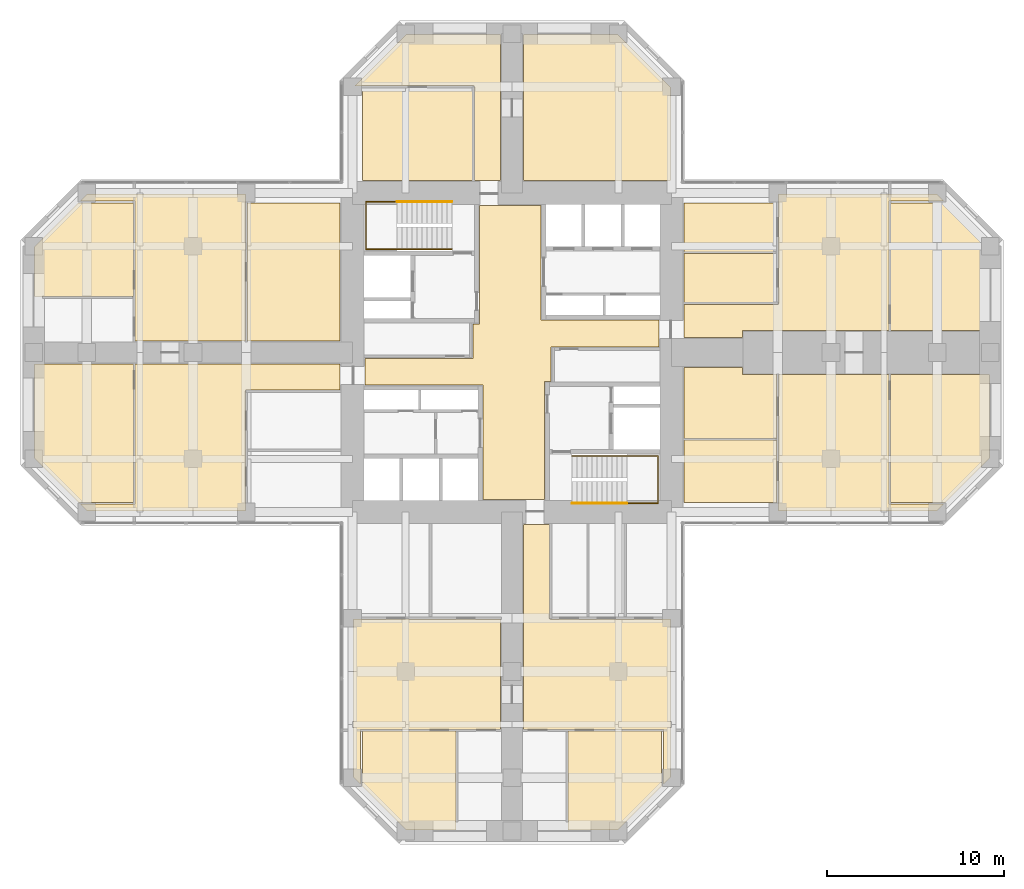
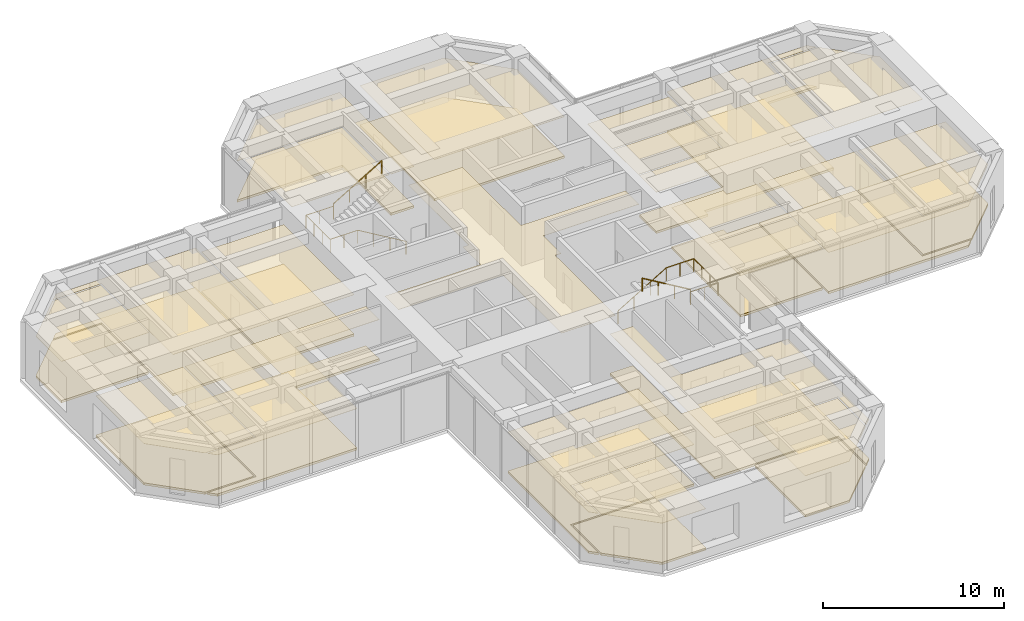
# One storey, part 13 of 13: 37 coverings, 4 railings.
"""IFC4 building model written with IfcOpenShell, lengths in metres."""

import ifcopenshell
import ifcopenshell.guid

model = None  # the IFC model being written
_history = None  # IfcOwnerHistory: only IFC2X3 demands one
_inside = {}  # id of a spatial element -> (the spatial element, [elements in it])
_under = {}  # id of a project, library or spatial element -> (it, [spatial elements below it])
_declared = {}  # id of a project -> (the project, [libraries it declares])
_typed = {}  # id of a type object -> (the type object, [elements of that type])
_made_of = {}  # id of a material, layer set ... -> (it, [elements and type objects made of it])


def new_model(schema):
    """Start an empty IFC model of exactly this schema.

    Asked for "IFC4X3", IfcOpenShell would pick the latest addendum, in which some entities
    have other attributes; the version numbers below select the first issue.
    IFC2X3 requires an IfcOwnerHistory on every rooted entity: one is made here for all.
    """
    global model, _history
    if schema == "IFC4X3":
        model = ifcopenshell.file(schema_version=(4, 3, 0, 0))
    else:
        model = ifcopenshell.file(schema=schema)
    _inside.clear()
    _under.clear()
    _declared.clear()
    _typed.clear()
    _made_of.clear()
    _history = None
    if model.schema == "IFC2X3":
        org = make("IfcOrganization", Name="unknown")
        user = make(
            "IfcPersonAndOrganization",
            ThePerson=make("IfcPerson", FamilyName="unknown"),
            TheOrganization=org,
        )
        app = make(
            "IfcApplication",
            ApplicationDeveloper=org,
            Version="unknown",
            ApplicationFullName="unknown",
            ApplicationIdentifier="unknown",
        )
        _history = make(
            "IfcOwnerHistory",
            OwningUser=user,
            OwningApplication=app,
            ChangeAction="ADDED",
            CreationDate=0,
        )
    return model


def make(cls, **values):
    """One entity of the class cls with the attributes given. An attribute that is None is left unset."""
    return model.create_entity(
        cls, **{name: value for name, value in values.items() if value is not None}
    )


def rooted(cls, **values):
    """An entity with a GlobalId (a new one), such as an element, a storey or a relation."""
    return make(cls, GlobalId=ifcopenshell.guid.new(), OwnerHistory=_history, **values)


def si_unit(unit_type, name, prefix=None):
    """IfcSIUnit, for example si_unit("LENGTHUNIT", "METRE", prefix="MILLI")."""
    return make("IfcSIUnit", UnitType=unit_type, Prefix=prefix, Name=name)


def assignment(units):
    """IfcUnitAssignment: the units of a project."""
    return None if units is None else make("IfcUnitAssignment", Units=units)


def point(xyz):
    """IfcCartesianPoint."""
    return None if xyz is None else make("IfcCartesianPoint", Coordinates=xyz)


def direction(xyz):
    """IfcDirection."""
    return None if xyz is None else make("IfcDirection", DirectionRatios=xyz)


def frame(location, z_axis=None, x_axis=None):
    """IfcAxis2Placement3D, a coordinate frame: its origin and axes. An axis left out is left unset."""
    return make(
        "IfcAxis2Placement3D",
        Location=point(location),
        Axis=direction(z_axis),
        RefDirection=direction(x_axis),
    )


def frame_2d(location, x_axis=None):
    """IfcAxis2Placement2D, a coordinate frame in the plane: its origin and x axis."""
    return make(
        "IfcAxis2Placement2D", Location=point(location), RefDirection=direction(x_axis)
    )


def origin():
    """The frame at (0, 0, 0) with its axes left unset."""
    return frame((0.0, 0.0, 0.0))


def origin_2d():
    """The frame at (0, 0) in the plane with its x axis left unset."""
    return frame_2d((0.0, 0.0))


def place(relative_to, where):
    """IfcLocalPlacement: puts the frame where relative to a parent placement (None: the world)."""
    return make(
        "IfcLocalPlacement", PlacementRelTo=relative_to, RelativePlacement=where
    )


def context(
    kind, dimensions, precision=None, world=None, true_north=None, identifier=None
):
    """IfcGeometricRepresentationContext, for example the 3D "Model" context."""
    return make(
        "IfcGeometricRepresentationContext",
        ContextIdentifier=identifier,
        ContextType=kind,
        CoordinateSpaceDimension=dimensions,
        Precision=precision,
        WorldCoordinateSystem=world,
        TrueNorth=true_north,
    )


def subcontext(parent, identifier, kind, view, scale=None):
    """IfcGeometricRepresentationSubContext, for example "Body" below "Model"."""
    return make(
        "IfcGeometricRepresentationSubContext",
        ContextIdentifier=identifier,
        ContextType=kind,
        ParentContext=parent,
        TargetScale=scale,
        TargetView=view,
    )


def project(units=None, contexts=None):
    """IfcProject with its units and contexts."""
    return rooted(
        "IfcProject",
        Name="project",
        RepresentationContexts=contexts,
        UnitsInContext=assignment(units),
    )


def spatial(cls, under=None, at=None, **own):
    """A site, building, storey or space (cls), placed at a placement, below another one or the project."""
    s = rooted(cls, ObjectPlacement=at, **own)
    if under is not None:
        _under.setdefault(under.id(), (under, []))[1].append(s)
    return s


def polyline(points):
    """IfcPolyline through the points."""
    return make("IfcPolyline", Points=[point(p) for p in points])


def profile(cls, at=None, kind="AREA", **sizes):
    """A parametric profile (cls). Its sizes go by their IFC names, for example OverallWidth=200.0."""
    return make(cls, ProfileType=kind, Position=at, **sizes)


def circle(**sizes):
    """IfcCircleProfileDef."""
    return profile("IfcCircleProfileDef", **sizes)


def outline(outer, holes=None, kind="AREA"):
    """IfcArbitraryClosedProfileDef: a profile drawn as a closed curve; with holes, ...WithVoids."""
    if holes is None:
        return make("IfcArbitraryClosedProfileDef", ProfileType=kind, OuterCurve=outer)
    return make(
        "IfcArbitraryProfileDefWithVoids",
        ProfileType=kind,
        OuterCurve=outer,
        InnerCurves=holes,
    )


def extrude(swept, where, along, depth):
    """IfcExtrudedAreaSolid: the profile swept, set in the frame where, extruded along a direction by depth."""
    return make(
        "IfcExtrudedAreaSolid",
        SweptArea=swept,
        Position=where,
        ExtrudedDirection=direction(along),
        Depth=depth,
    )


def shape(context_of_items, identifier, shape_type, items):
    """IfcShapeRepresentation: the items that make up one representation, for example the "Body"."""
    return make(
        "IfcShapeRepresentation",
        ContextOfItems=context_of_items,
        RepresentationIdentifier=identifier,
        RepresentationType=shape_type,
        Items=items,
    )


def material(Name=None, Category=None):
    """IfcMaterial."""
    return make("IfcMaterial", Name=Name, Category=Category)


def layer(
    of_material, thickness, ventilated=None, Name=None, Category=None, Priority=None
):
    """IfcMaterialLayer: one layer of a wall or slab, of a material (None: an air gap)."""
    return make(
        "IfcMaterialLayer",
        Material=of_material,
        LayerThickness=thickness,
        IsVentilated=ventilated,
        Name=Name,
        Category=Category,
        Priority=Priority,
    )


def layer_set(layers, Name=None):
    """IfcMaterialLayerSet."""
    return make("IfcMaterialLayerSet", MaterialLayers=layers, LayerSetName=Name)


def constituent(of_material, Name=None, Category=None, fraction=None):
    """IfcMaterialConstituent: one of the materials an element consists of."""
    return make(
        "IfcMaterialConstituent",
        Name=Name,
        Material=of_material,
        Fraction=fraction,
        Category=Category,
    )


def constituent_set(constituents=None, Name=None):
    """IfcMaterialConstituentSet."""
    return make(
        "IfcMaterialConstituentSet", Name=Name, MaterialConstituents=constituents
    )


def made_of(thing, what):
    """Note that an element or type object is made of a material, layer set ...; save() writes the relation."""
    if what is not None:
        _made_of.setdefault(what.id(), (what, []))[1].append(thing)
    return thing


def type_object(cls, material=None, **own):
    """A type object (cls), such as IfcWallType, which elements share."""
    return made_of(rooted(cls, **own), material)


def element(
    cls,
    number,
    at=None,
    inside=None,
    cuts=None,
    type_object=None,
    material=None,
    context=None,
    identifier="Body",
    shape_type=None,
    held_by="IfcProductDefinitionShape",
    body=None,
    shapes=None,
    **own,
):
    """One element of the class cls, such as IfcWall. Its Tag is "e" and its number.

    at: its placement. inside: the storey or other place that contains it. cuts: it is an
    opening in that element (IfcRelVoidsElement). A single representation is given by context,
    identifier, shape_type and body (its items); several are given by shapes. held_by: the class
    of the entity that holds the representations. save() writes the other relations.
    """
    e = rooted(cls, Tag="e%d" % number, ObjectPlacement=at, **own)
    if body is not None:
        shapes = [shape(context, identifier, shape_type, body)]
    if shapes is not None:
        e.Representation = make(held_by, Representations=shapes)
    if inside is not None:
        _inside.setdefault(inside.id(), (inside, []))[1].append(e)
    if cuts is not None:
        rooted(
            "IfcRelVoidsElement", RelatingBuildingElement=cuts, RelatedOpeningElement=e
        )
    if type_object is not None:
        _typed.setdefault(type_object.id(), (type_object, []))[1].append(e)
    return made_of(e, material)


def aggregate(whole, parts):
    """IfcRelAggregates: a whole, such as a stair, and the parts it consists of."""
    return rooted("IfcRelAggregates", RelatingObject=whole, RelatedObjects=parts)


def save(model, path):
    """Write the relations noted so far, then the file.

    IfcRelAggregates (storeys below a building ...), IfcRelContainedInSpatialStructure (elements
    in a storey), IfcRelDefinesByType, IfcRelAssociatesMaterial and IfcRelDeclares: one each for
    every whole, place, type object, material and project.
    """
    for whole, parts in _under.values():
        aggregate(whole, parts)
    for where, things in _inside.values():
        rooted(
            "IfcRelContainedInSpatialStructure",
            RelatedElements=things,
            RelatingStructure=where,
        )
    for kind, things in _typed.values():
        rooted("IfcRelDefinesByType", RelatedObjects=things, RelatingType=kind)
    for what, things in _made_of.values():
        rooted("IfcRelAssociatesMaterial", RelatedObjects=things, RelatingMaterial=what)
    for by, libraries in _declared.values():
        rooted("IfcRelDeclares", RelatingContext=by, RelatedDefinitions=libraries)
    model.write(path)


model = new_model("IFC4")

# Units and contexts
model_context = context("Model", 3, precision=1e-05, world=origin(), true_north=direction((0.0, 1.0)))
body_context = subcontext(model_context, "Body", "Model", "MODEL_VIEW")
ifc_project = project(units=[si_unit("LENGTHUNIT", "METRE"), si_unit("AREAUNIT", "SQUARE_METRE"), si_unit("VOLUMEUNIT", "CUBIC_METRE"), si_unit("PLANEANGLEUNIT", "RADIAN"), si_unit("MASSUNIT", "GRAM", prefix="KILO")], contexts=[model_context])

# Site, building, storey
site_placement = place(None, origin())
site = spatial("IfcSite", under=ifc_project, at=site_placement, CompositionType="ELEMENT")
building_placement = place(site_placement, origin())
building = spatial("IfcBuilding", under=site, at=building_placement, Name="Torre Cruceta", CompositionType="ELEMENT")
storey_placement = place(building_placement, frame((0.0, 0.0, 152.5)))
storey = spatial("IfcBuildingStorey", under=building, at=storey_placement, Name="L37", CompositionType="ELEMENT", Elevation=152.5)

# Railings
ifc_material_1 = material(Name="Stainless steel 1.4401", Category="steel")
railing_type = type_object("IfcRailingType", Name="HANDRAIL 900", PredefinedType="HANDRAIL", material=ifc_material_1)
railing_1_placement = place(storey_placement, frame((-3.39990234375, 5.8349609375, 0.166748046875)))
element("IfcRailing", 1, at=railing_1_placement, inside=storey, type_object=railing_type, Name="Handrail HR1 ST1 L37", PredefinedType="HANDRAIL", context=body_context, shape_type="SweptSolid", body=[
    extrude(circle(Radius=0.02392578125, at=origin_2d()), frame((0.0, 0.0, 0.8759765625), z_axis=(-0.859308565015, 0.0, 0.511457515432), x_axis=(0.0, -1.0, 0.0)), (0.0, 0.0, 1.0), 3.58447265625),
    extrude(circle(Radius=0.02392578125, at=origin_2d()), frame((-3.080078125, 0.0, 2.708984375), z_axis=(-1.0, 0.0, 0.0), x_axis=(0.0, -1.0, 0.0)), (0.0, 0.0, 1.0), 1.760009765625),
    extrude(circle(Radius=0.02392578125, at=origin_2d()), frame((-4.840087890625, 0.0, 2.708984375), z_axis=(0.0, 1.0, 0.0), x_axis=(-1.0, 0.0, 0.0)), (0.0, 0.0, 1.0), 2.679931640625),
    extrude(circle(Radius=0.02392578125, at=origin_2d()), frame((-4.840087890625, 2.679931640625, 2.708984375), z_axis=(1.0, 0.0, 0.0), x_axis=(0.0, 1.0, 0.0)), (0.0, 0.0, 1.0), 1.760009765625),
    extrude(circle(Radius=0.02099609375, at=origin_2d()), origin(), (0.0, 0.0, 1.0), 0.851806640625),
    extrude(circle(Radius=0.02099609375, at=origin_2d()), frame((-1.026611328125, 0.0, 0.611083984375)), (0.0, 0.0, 1.0), 0.851806640625),
    extrude(circle(Radius=0.02099609375, at=origin_2d()), frame((-2.053466796875, 0.0, 1.22216796875)), (0.0, 0.0, 1.0), 0.851806640625),
    extrude(circle(Radius=0.02099609375, at=origin_2d()), frame((-3.080078125, 0.0, 1.833251953125)), (0.0, 0.0, 1.0), 0.851806640625),
    extrude(circle(Radius=0.02099609375, at=origin_2d()), frame((-3.9599609375, 0.0, 1.833251953125)), (0.0, 0.0, 1.0), 0.851806640625),
    extrude(circle(Radius=0.02099609375, at=origin_2d()), frame((-4.840087890625, 0.0, 1.833251953125)), (0.0, 0.0, 1.0), 0.851806640625),
    extrude(circle(Radius=0.02099609375, at=origin_2d()), frame((-4.840087890625, 0.893310546875, 1.833251953125)), (0.0, 0.0, 1.0), 0.851806640625),
    extrude(circle(Radius=0.02099609375, at=origin_2d()), frame((-4.840087890625, 1.78662109375, 1.833251953125)), (0.0, 0.0, 1.0), 0.851806640625),
    extrude(circle(Radius=0.02099609375, at=origin_2d()), frame((-4.840087890625, 2.679931640625, 1.833251953125)), (0.0, 0.0, 1.0), 0.851806640625),
    extrude(circle(Radius=0.02099609375, at=origin_2d()), frame((-3.9599609375, 2.679931640625, 1.833251953125)), (0.0, 0.0, 1.0), 0.851806640625),
    extrude(circle(Radius=0.02099609375, at=origin_2d()), frame((-3.080078125, 2.679931640625, 1.833251953125)), (0.0, 0.0, 1.0), 0.851806640625),
])
railing_2_placement = place(storey_placement, frame((-6.47998046875, 8.514892578125, 2.166748046875)))
element("IfcRailing", 2, at=railing_2_placement, inside=storey, type_object=railing_type, Name="Handrail HR1 ST1 L37", PredefinedType="HANDRAIL", context=body_context, shape_type="SweptSolid", body=[
    extrude(circle(Radius=0.02392578125, at=origin_2d()), frame((0.0, 0.0, 0.8759765625), z_axis=(0.859308565015, 0.0, 0.511457515432), x_axis=(0.0, 1.0, 0.0)), (0.0, 0.0, 1.0), 3.58447265625),
    extrude(circle(Radius=0.02099609375, at=origin_2d()), origin(), (0.0, 0.0, 1.0), 0.851806640625),
    extrude(circle(Radius=0.02099609375, at=origin_2d()), frame((1.026611328125, 0.0, 0.611083984375)), (0.0, 0.0, 1.0), 0.851806640625),
    extrude(circle(Radius=0.02099609375, at=origin_2d()), frame((2.053466796875, 0.0, 1.22216796875)), (0.0, 0.0, 1.0), 0.851806640625),
    extrude(circle(Radius=0.02099609375, at=origin_2d()), frame((3.080078125, 0.0, 1.833251953125)), (0.0, 0.0, 1.0), 0.851806640625),
])
railing_3_placement = place(storey_placement, frame((3.39990234375, -5.8349609375, 0.166748046875)))
element("IfcRailing", 3, at=railing_3_placement, inside=storey, type_object=railing_type, Name="Handrail HR1 ST2 L37", PredefinedType="HANDRAIL", context=body_context, shape_type="SweptSolid", body=[
    extrude(circle(Radius=0.02392578125, at=origin_2d()), frame((0.0, 0.0, 0.8759765625), z_axis=(0.859308565015, 0.0, 0.511457515432), x_axis=(0.0, 1.0, 0.0)), (0.0, 0.0, 1.0), 3.58447265625),
    extrude(circle(Radius=0.02392578125, at=origin_2d()), frame((3.080078125, 0.0, 2.708984375), z_axis=(1.0, 0.0, 0.0), x_axis=(0.0, 1.0, 0.0)), (0.0, 0.0, 1.0), 1.760009765625),
    extrude(circle(Radius=0.02392578125, at=origin_2d()), frame((4.840087890625, 0.0, 2.708984375), z_axis=(0.0, -1.0, 0.0), x_axis=(1.0, 0.0, 0.0)), (0.0, 0.0, 1.0), 2.679931640625),
    extrude(circle(Radius=0.02392578125, at=origin_2d()), frame((4.840087890625, -2.679931640625, 2.708984375), z_axis=(-1.0, 0.0, 0.0), x_axis=(0.0, -1.0, 0.0)), (0.0, 0.0, 1.0), 1.760009765625),
    extrude(circle(Radius=0.02099609375, at=origin_2d()), origin(), (0.0, 0.0, 1.0), 0.851806640625),
    extrude(circle(Radius=0.02099609375, at=origin_2d()), frame((1.026611328125, 0.0, 0.611083984375)), (0.0, 0.0, 1.0), 0.851806640625),
    extrude(circle(Radius=0.02099609375, at=origin_2d()), frame((2.053466796875, 0.0, 1.22216796875)), (0.0, 0.0, 1.0), 0.851806640625),
    extrude(circle(Radius=0.02099609375, at=origin_2d()), frame((3.080078125, 0.0, 1.833251953125)), (0.0, 0.0, 1.0), 0.851806640625),
    extrude(circle(Radius=0.02099609375, at=origin_2d()), frame((3.9599609375, 0.0, 1.833251953125)), (0.0, 0.0, 1.0), 0.851806640625),
    extrude(circle(Radius=0.02099609375, at=origin_2d()), frame((4.840087890625, 0.0, 1.833251953125)), (0.0, 0.0, 1.0), 0.851806640625),
    extrude(circle(Radius=0.02099609375, at=origin_2d()), frame((4.840087890625, -0.893310546875, 1.833251953125)), (0.0, 0.0, 1.0), 0.851806640625),
    extrude(circle(Radius=0.02099609375, at=origin_2d()), frame((4.840087890625, -1.78662109375, 1.833251953125)), (0.0, 0.0, 1.0), 0.851806640625),
    extrude(circle(Radius=0.02099609375, at=origin_2d()), frame((4.840087890625, -2.679931640625, 1.833251953125)), (0.0, 0.0, 1.0), 0.851806640625),
    extrude(circle(Radius=0.02099609375, at=origin_2d()), frame((3.9599609375, -2.679931640625, 1.833251953125)), (0.0, 0.0, 1.0), 0.851806640625),
    extrude(circle(Radius=0.02099609375, at=origin_2d()), frame((3.080078125, -2.679931640625, 1.833251953125)), (0.0, 0.0, 1.0), 0.851806640625),
])
railing_4_placement = place(storey_placement, frame((6.47998046875, -8.514892578125, 2.166748046875)))
element("IfcRailing", 4, at=railing_4_placement, inside=storey, type_object=railing_type, Name="Handrail HR1 ST2 L37", PredefinedType="HANDRAIL", context=body_context, shape_type="SweptSolid", body=[
    extrude(circle(Radius=0.02392578125, at=origin_2d()), frame((0.0, 0.0, 0.8759765625), z_axis=(-0.859308565015, 0.0, 0.511457515432), x_axis=(0.0, -1.0, 0.0)), (0.0, 0.0, 1.0), 3.58447265625),
    extrude(circle(Radius=0.02099609375, at=origin_2d()), origin(), (0.0, 0.0, 1.0), 0.851806640625),
    extrude(circle(Radius=0.02099609375, at=origin_2d()), frame((-1.026611328125, 0.0, 0.611083984375)), (0.0, 0.0, 1.0), 0.851806640625),
    extrude(circle(Radius=0.02099609375, at=origin_2d()), frame((-2.053466796875, 0.0, 1.22216796875)), (0.0, 0.0, 1.0), 0.851806640625),
    extrude(circle(Radius=0.02099609375, at=origin_2d()), frame((-3.080078125, 0.0, 1.833251953125)), (0.0, 0.0, 1.0), 0.851806640625),
])

# Coverings
ifc_material_2 = material(Name="Steel DX51D", Category="steel")
ifc_constituent_1 = constituent(ifc_material_2, Name="Panel casing")
ifc_material_3 = material(Name="Calcium sulphate", Category="gypsum")
ifc_constituent_2 = constituent(ifc_material_3, Name="Panel core")
ifc_constituent_set = constituent_set(constituents=[ifc_constituent_1, ifc_constituent_2], Name="Raised access floor panel")
covering_type_1 = type_object("IfcCoveringType", Name="RAISED ACCESS FLOOR 150", PredefinedType="FLOORING", material=ifc_constituent_set)
covering_1_placement = place(storey_placement, origin())
element("IfcCovering", 5, at=covering_1_placement, inside=storey, type_object=covering_type_1, Name="Raised floor L37-026", PredefinedType="FLOORING", context=body_context, shape_type="SweptSolid", body=[
    extrude(outline(polyline([(-0.64990234375, 17.949951171875), (-0.64990234375, 9.699951171875), (-2.125, 9.699951171875), (-2.125, 15.050048828125), (-8.87939453125, 15.050048828125), (-5.979248046875, 17.949951171875), (-0.64990234375, 17.949951171875)])), origin(), (0.0, 0.0, 1.0), 0.14990234375),
])
covering_2_placement = place(storey_placement, origin())
element("IfcCovering", 6, at=covering_2_placement, inside=storey, type_object=covering_type_1, Name="Raised floor L37-027", PredefinedType="FLOORING", context=body_context, shape_type="SweptSolid", body=[
    extrude(outline(polyline([(5.979248046875, 17.949951171875), (8.949951171875, 14.979248046875), (8.949951171875, 9.699951171875), (0.64990234375, 9.699951171875), (0.64990234375, 17.949951171875), (5.979248046875, 17.949951171875)])), origin(), (0.0, 0.0, 1.0), 0.14990234375),
])
covering_3_placement = place(storey_placement, origin())
element("IfcCovering", 7, at=covering_3_placement, inside=storey, type_object=covering_type_1, Name="Raised floor L37-030", PredefinedType="FLOORING", context=body_context, shape_type="SweptSolid", body=[
    extrude(outline(polyline([(14.949951171875, -4.85009765625), (9.699951171875, -4.85009765625), (9.699951171875, -0.85009765625), (13.0, -0.85009765625), (13.0, -1.25), (14.949951171875, -1.25), (14.949951171875, -4.85009765625)])), origin(), (0.0, 0.0, 1.0), 0.14990234375),
])
covering_4_placement = place(storey_placement, origin())
element("IfcCovering", 8, at=covering_4_placement, inside=storey, type_object=covering_type_1, Name="Raised floor L37-031", PredefinedType="FLOORING", context=body_context, shape_type="SweptSolid", body=[
    extrude(outline(polyline([(9.699951171875, -8.449951171875), (9.699951171875, -4.949951171875), (14.949951171875, -4.949951171875), (14.949951171875, -8.449951171875), (9.699951171875, -8.449951171875)])), origin(), (0.0, 0.0, 1.0), 0.14990234375),
])
covering_5_placement = place(storey_placement, origin())
element("IfcCovering", 9, at=covering_5_placement, inside=storey, type_object=covering_type_1, Name="Raised floor L37-033", PredefinedType="FLOORING", context=body_context, shape_type="SweptSolid", body=[
    extrude(outline(polyline([(24.479248046875, -8.449951171875), (21.3701171875, -8.449951171875), (21.3701171875, -1.25), (26.949951171875, -1.25), (26.949951171875, -5.979248046875), (24.479248046875, -8.449951171875)])), origin(), (0.0, 0.0, 1.0), 0.14990234375),
])
covering_6_placement = place(storey_placement, origin())
element("IfcCovering", 10, at=covering_6_placement, inside=storey, type_object=covering_type_1, Name="Raised floor L37-034", PredefinedType="FLOORING", context=body_context, shape_type="SweptSolid", body=[
    extrude(outline(polyline([(9.699951171875, 2.72509765625), (15.050048828125, 2.72509765625), (15.050048828125, 8.949951171875), (23.979248046875, 8.949951171875), (24.37939453125, 8.550048828125), (21.27001953125, 8.550048828125), (21.27001953125, 1.25), (13.0, 1.25), (13.0, 0.85009765625), (9.699951171875, 0.85009765625), (9.699951171875, 2.72509765625)])), origin(), (0.0, 0.0, 1.0), 0.14990234375),
])
covering_7_placement = place(storey_placement, origin())
element("IfcCovering", 11, at=covering_7_placement, inside=storey, type_object=covering_type_1, Name="Raised floor L37-035", PredefinedType="FLOORING", context=body_context, shape_type="SweptSolid", body=[
    extrude(outline(polyline([(15.050048828125, -8.949951171875), (15.050048828125, -1.25), (21.27001953125, -1.25), (21.27001953125, -8.550048828125), (24.37939453125, -8.550048828125), (23.979248046875, -8.949951171875), (15.050048828125, -8.949951171875)])), origin(), (0.0, 0.0, 1.0), 0.14990234375),
])
covering_8_placement = place(storey_placement, origin())
element("IfcCovering", 12, at=covering_8_placement, inside=storey, type_object=covering_type_1, Name="Raised floor L37-042", PredefinedType="FLOORING", context=body_context, shape_type="SweptSolid", body=[
    extrude(outline(polyline([(3.16796875, -26.949951171875), (3.16796875, -21.3701171875), (8.449951171875, -21.3701171875), (8.449951171875, -24.479248046875), (5.979248046875, -26.949951171875), (3.16796875, -26.949951171875)])), origin(), (0.0, 0.0, 1.0), 0.14990234375),
])
covering_9_placement = place(storey_placement, origin())
element("IfcCovering", 13, at=covering_9_placement, inside=storey, type_object=covering_type_1, Name="Raised floor L37-044", PredefinedType="FLOORING", context=body_context, shape_type="SweptSolid", body=[
    extrude(outline(polyline([(-8.449951171875, -24.479248046875), (-8.449951171875, -21.3701171875), (-3.16796875, -21.3701171875), (-3.16796875, -26.949951171875), (-5.979248046875, -26.949951171875), (-8.449951171875, -24.479248046875)])), origin(), (0.0, 0.0, 1.0), 0.14990234375),
])
covering_10_placement = place(storey_placement, origin())
element("IfcCovering", 14, at=covering_10_placement, inside=storey, type_object=covering_type_1, Name="Raised floor L37-045", PredefinedType="FLOORING", context=body_context, shape_type="SweptSolid", body=[
    extrude(outline(polyline([(2.125, -9.699951171875), (2.125, -15.050048828125), (8.949951171875, -15.050048828125), (8.949951171875, -23.979248046875), (8.550048828125, -24.37939453125), (8.550048828125, -21.27001953125), (0.64990234375, -21.27001953125), (0.64990234375, -9.699951171875), (2.125, -9.699951171875)])), origin(), (0.0, 0.0, 1.0), 0.14990234375),
])
covering_11_placement = place(storey_placement, origin())
element("IfcCovering", 15, at=covering_11_placement, inside=storey, type_object=covering_type_1, Name="Raised floor L37-046", PredefinedType="FLOORING", context=body_context, shape_type="SweptSolid", body=[
    extrude(outline(polyline([(-8.949951171875, -15.050048828125), (-0.64990234375, -15.050048828125), (-0.64990234375, -21.27001953125), (-8.550048828125, -21.27001953125), (-8.550048828125, -24.37939453125), (-8.949951171875, -23.979248046875), (-8.949951171875, -15.050048828125)])), origin(), (0.0, 0.0, 1.0), 0.14990234375),
])
covering_12_placement = place(storey_placement, origin())
element("IfcCovering", 16, at=covering_12_placement, inside=storey, type_object=covering_type_1, Name="Raised floor L37-049", PredefinedType="FLOORING", context=body_context, shape_type="SweptSolid", body=[
    extrude(outline(polyline([(-9.699951171875, 8.449951171875), (-9.699951171875, 0.64990234375), (-14.949951171875, 0.64990234375), (-14.949951171875, 8.449951171875), (-9.699951171875, 8.449951171875)])), origin(), (0.0, 0.0, 1.0), 0.14990234375),
])
covering_13_placement = place(storey_placement, origin())
element("IfcCovering", 17, at=covering_13_placement, inside=storey, type_object=covering_type_1, Name="Raised floor L37-050", PredefinedType="FLOORING", context=body_context, shape_type="SweptSolid", body=[
    extrude(outline(polyline([(-26.949951171875, -0.64990234375), (-21.3701171875, -0.64990234375), (-21.3701171875, -8.449951171875), (-24.479248046875, -8.449951171875), (-26.949951171875, -5.979248046875), (-26.949951171875, -0.64990234375)])), origin(), (0.0, 0.0, 1.0), 0.14990234375),
])
covering_14_placement = place(storey_placement, origin())
element("IfcCovering", 18, at=covering_14_placement, inside=storey, type_object=covering_type_1, Name="Raised floor L37-052", PredefinedType="FLOORING", context=body_context, shape_type="SweptSolid", body=[
    extrude(outline(polyline([(-24.479248046875, 8.449951171875), (-21.3701171875, 8.449951171875), (-21.3701171875, 3.16796875), (-26.949951171875, 3.16796875), (-26.949951171875, 5.979248046875), (-24.479248046875, 8.449951171875)])), origin(), (0.0, 0.0, 1.0), 0.14990234375),
])
covering_15_placement = place(storey_placement, origin())
element("IfcCovering", 19, at=covering_15_placement, inside=storey, type_object=covering_type_1, Name="Raised floor L37-053", PredefinedType="FLOORING", context=body_context, shape_type="SweptSolid", body=[
    extrude(outline(polyline([(-9.699951171875, -2.125), (-15.050048828125, -2.125), (-15.050048828125, -8.949951171875), (-23.979248046875, -8.949951171875), (-24.37939453125, -8.550048828125), (-21.27001953125, -8.550048828125), (-21.27001953125, -0.64990234375), (-9.699951171875, -0.64990234375), (-9.699951171875, -2.125)])), origin(), (0.0, 0.0, 1.0), 0.14990234375),
])
covering_16_placement = place(storey_placement, origin())
element("IfcCovering", 20, at=covering_16_placement, inside=storey, type_object=covering_type_1, Name="Raised floor L37-054", PredefinedType="FLOORING", context=body_context, shape_type="SweptSolid", body=[
    extrude(outline(polyline([(-15.050048828125, 8.949951171875), (-15.050048828125, 0.64990234375), (-21.27001953125, 0.64990234375), (-21.27001953125, 8.550048828125), (-24.37939453125, 8.550048828125), (-23.979248046875, 8.949951171875), (-15.050048828125, 8.949951171875)])), origin(), (0.0, 0.0, 1.0), 0.14990234375),
])
ifc_material_4 = material(Name="Mineral fibre ceiling tile", Category="gypsum")
ifc_layer = layer(ifc_material_4, 0.02001953125)
ifc_layer_set = layer_set([ifc_layer], Name="Mineral fibre ceiling tile")
covering_type_2 = type_object("IfcCoveringType", Name="SUSPENDED CEILING 20", PredefinedType="CEILING", material=ifc_layer_set)
covering_17_placement = place(storey_placement, frame((0.0, 0.0, 2.780029296875)))
element("IfcCovering", 21, at=covering_17_placement, inside=storey, type_object=covering_type_2, Name="Ceiling L37-001", PredefinedType="CEILING", context=body_context, shape_type="SweptSolid", body=[
    extrude(outline(polyline([(1.824951171875, -8.300048828125), (-1.625, -8.300048828125), (-1.625, -1.824951171875), (-8.300048828125, -1.824951171875), (-8.300048828125, -0.324951171875), (-2.199951171875, -0.324951171875), (-2.199951171875, 1.625), (-1.824951171875, 1.625), (-1.824951171875, 8.300048828125), (1.625, 8.300048828125), (1.625, 1.824951171875), (8.300048828125, 1.824951171875), (8.300048828125, 0.324951171875), (2.199951171875, 0.324951171875), (2.199951171875, -1.625), (1.824951171875, -1.625), (1.824951171875, -8.300048828125)])), origin(), (0.0, 0.0, 1.0), 0.02001953125),
])
covering_18_placement = place(storey_placement, frame((0.0, 0.0, 2.780029296875)))
element("IfcCovering", 22, at=covering_18_placement, inside=storey, type_object=covering_type_2, Name="Ceiling L37-025", PredefinedType="CEILING", context=body_context, shape_type="SweptSolid", body=[
    extrude(outline(polyline([(-2.22509765625, 9.699951171875), (-8.449951171875, 9.699951171875), (-8.449951171875, 14.949951171875), (-2.22509765625, 14.949951171875), (-2.22509765625, 9.699951171875)])), origin(), (0.0, 0.0, 1.0), 0.02001953125),
])
covering_19_placement = place(storey_placement, frame((0.0, 0.0, 2.780029296875)))
element("IfcCovering", 23, at=covering_19_placement, inside=storey, type_object=covering_type_2, Name="Ceiling L37-026", PredefinedType="CEILING", context=body_context, shape_type="SweptSolid", body=[
    extrude(outline(polyline([(-0.64990234375, 17.949951171875), (-0.64990234375, 9.699951171875), (-2.125, 9.699951171875), (-2.125, 15.050048828125), (-8.87939453125, 15.050048828125), (-5.979248046875, 17.949951171875), (-0.64990234375, 17.949951171875)])), origin(), (0.0, 0.0, 1.0), 0.02001953125),
])
covering_20_placement = place(storey_placement, frame((0.0, 0.0, 2.780029296875)))
element("IfcCovering", 24, at=covering_20_placement, inside=storey, type_object=covering_type_2, Name="Ceiling L37-027", PredefinedType="CEILING", context=body_context, shape_type="SweptSolid", body=[
    extrude(outline(polyline([(5.979248046875, 17.949951171875), (8.949951171875, 14.979248046875), (8.949951171875, 9.699951171875), (0.64990234375, 9.699951171875), (0.64990234375, 17.949951171875), (5.979248046875, 17.949951171875)])), origin(), (0.0, 0.0, 1.0), 0.02001953125),
])
covering_21_placement = place(storey_placement, frame((0.0, 0.0, 2.780029296875)))
element("IfcCovering", 25, at=covering_21_placement, inside=storey, type_object=covering_type_2, Name="Ceiling L37-028", PredefinedType="CEILING", context=body_context, shape_type="SweptSolid", body=[
    extrude(outline(polyline([(9.699951171875, 2.824951171875), (9.699951171875, 5.58740234375), (14.949951171875, 5.58740234375), (14.949951171875, 2.824951171875), (9.699951171875, 2.824951171875)])), origin(), (0.0, 0.0, 1.0), 0.02001953125),
])
covering_22_placement = place(storey_placement, frame((0.0, 0.0, 2.780029296875)))
element("IfcCovering", 26, at=covering_22_placement, inside=storey, type_object=covering_type_2, Name="Ceiling L37-029", PredefinedType="CEILING", context=body_context, shape_type="SweptSolid", body=[
    extrude(outline(polyline([(9.699951171875, 5.6875), (9.699951171875, 8.449951171875), (14.949951171875, 8.449951171875), (14.949951171875, 5.6875), (9.699951171875, 5.6875)])), origin(), (0.0, 0.0, 1.0), 0.02001953125),
])
covering_23_placement = place(storey_placement, frame((0.0, 0.0, 2.780029296875)))
element("IfcCovering", 27, at=covering_23_placement, inside=storey, type_object=covering_type_2, Name="Ceiling L37-030", PredefinedType="CEILING", context=body_context, shape_type="SweptSolid", body=[
    extrude(outline(polyline([(14.949951171875, -4.85009765625), (9.699951171875, -4.85009765625), (9.699951171875, -0.85009765625), (13.0, -0.85009765625), (13.0, -1.25), (14.949951171875, -1.25), (14.949951171875, -4.85009765625)])), origin(), (0.0, 0.0, 1.0), 0.02001953125),
])
covering_24_placement = place(storey_placement, frame((0.0, 0.0, 2.780029296875)))
element("IfcCovering", 28, at=covering_24_placement, inside=storey, type_object=covering_type_2, Name="Ceiling L37-031", PredefinedType="CEILING", context=body_context, shape_type="SweptSolid", body=[
    extrude(outline(polyline([(9.699951171875, -8.449951171875), (9.699951171875, -4.949951171875), (14.949951171875, -4.949951171875), (14.949951171875, -8.449951171875), (9.699951171875, -8.449951171875)])), origin(), (0.0, 0.0, 1.0), 0.02001953125),
])
covering_25_placement = place(storey_placement, frame((0.0, 0.0, 2.780029296875)))
element("IfcCovering", 29, at=covering_25_placement, inside=storey, type_object=covering_type_2, Name="Ceiling L37-032", PredefinedType="CEILING", context=body_context, shape_type="SweptSolid", body=[
    extrude(outline(polyline([(26.949951171875, 1.25), (21.3701171875, 1.25), (21.3701171875, 8.449951171875), (24.479248046875, 8.449951171875), (26.949951171875, 5.979248046875), (26.949951171875, 1.25)])), origin(), (0.0, 0.0, 1.0), 0.02001953125),
])
covering_26_placement = place(storey_placement, frame((0.0, 0.0, 2.780029296875)))
element("IfcCovering", 30, at=covering_26_placement, inside=storey, type_object=covering_type_2, Name="Ceiling L37-033", PredefinedType="CEILING", context=body_context, shape_type="SweptSolid", body=[
    extrude(outline(polyline([(24.479248046875, -8.449951171875), (21.3701171875, -8.449951171875), (21.3701171875, -1.25), (26.949951171875, -1.25), (26.949951171875, -5.979248046875), (24.479248046875, -8.449951171875)])), origin(), (0.0, 0.0, 1.0), 0.02001953125),
])
covering_27_placement = place(storey_placement, frame((0.0, 0.0, 2.780029296875)))
element("IfcCovering", 31, at=covering_27_placement, inside=storey, type_object=covering_type_2, Name="Ceiling L37-034", PredefinedType="CEILING", context=body_context, shape_type="SweptSolid", body=[
    extrude(outline(polyline([(9.699951171875, 2.72509765625), (15.050048828125, 2.72509765625), (15.050048828125, 8.949951171875), (23.979248046875, 8.949951171875), (24.37939453125, 8.550048828125), (21.27001953125, 8.550048828125), (21.27001953125, 1.25), (13.0, 1.25), (13.0, 0.85009765625), (9.699951171875, 0.85009765625), (9.699951171875, 2.72509765625)])), origin(), (0.0, 0.0, 1.0), 0.02001953125),
])
covering_28_placement = place(storey_placement, frame((0.0, 0.0, 2.780029296875)))
element("IfcCovering", 32, at=covering_28_placement, inside=storey, type_object=covering_type_2, Name="Ceiling L37-035", PredefinedType="CEILING", context=body_context, shape_type="SweptSolid", body=[
    extrude(outline(polyline([(15.050048828125, -8.949951171875), (15.050048828125, -1.25), (21.27001953125, -1.25), (21.27001953125, -8.550048828125), (24.37939453125, -8.550048828125), (23.979248046875, -8.949951171875), (15.050048828125, -8.949951171875)])), origin(), (0.0, 0.0, 1.0), 0.02001953125),
])
covering_29_placement = place(storey_placement, frame((0.0, 0.0, 2.780029296875)))
element("IfcCovering", 33, at=covering_29_placement, inside=storey, type_object=covering_type_2, Name="Ceiling L37-042", PredefinedType="CEILING", context=body_context, shape_type="SweptSolid", body=[
    extrude(outline(polyline([(3.16796875, -26.949951171875), (3.16796875, -21.3701171875), (8.449951171875, -21.3701171875), (8.449951171875, -24.479248046875), (5.979248046875, -26.949951171875), (3.16796875, -26.949951171875)])), origin(), (0.0, 0.0, 1.0), 0.02001953125),
])
covering_30_placement = place(storey_placement, frame((0.0, 0.0, 2.780029296875)))
element("IfcCovering", 34, at=covering_30_placement, inside=storey, type_object=covering_type_2, Name="Ceiling L37-044", PredefinedType="CEILING", context=body_context, shape_type="SweptSolid", body=[
    extrude(outline(polyline([(-8.449951171875, -24.479248046875), (-8.449951171875, -21.3701171875), (-3.16796875, -21.3701171875), (-3.16796875, -26.949951171875), (-5.979248046875, -26.949951171875), (-8.449951171875, -24.479248046875)])), origin(), (0.0, 0.0, 1.0), 0.02001953125),
])
covering_31_placement = place(storey_placement, frame((0.0, 0.0, 2.780029296875)))
element("IfcCovering", 35, at=covering_31_placement, inside=storey, type_object=covering_type_2, Name="Ceiling L37-045", PredefinedType="CEILING", context=body_context, shape_type="SweptSolid", body=[
    extrude(outline(polyline([(2.125, -9.699951171875), (2.125, -15.050048828125), (8.949951171875, -15.050048828125), (8.949951171875, -23.979248046875), (8.550048828125, -24.37939453125), (8.550048828125, -21.27001953125), (0.64990234375, -21.27001953125), (0.64990234375, -9.699951171875), (2.125, -9.699951171875)])), origin(), (0.0, 0.0, 1.0), 0.02001953125),
])
covering_32_placement = place(storey_placement, frame((0.0, 0.0, 2.780029296875)))
element("IfcCovering", 36, at=covering_32_placement, inside=storey, type_object=covering_type_2, Name="Ceiling L37-046", PredefinedType="CEILING", context=body_context, shape_type="SweptSolid", body=[
    extrude(outline(polyline([(-8.949951171875, -15.050048828125), (-0.64990234375, -15.050048828125), (-0.64990234375, -21.27001953125), (-8.550048828125, -21.27001953125), (-8.550048828125, -24.37939453125), (-8.949951171875, -23.979248046875), (-8.949951171875, -15.050048828125)])), origin(), (0.0, 0.0, 1.0), 0.02001953125),
])
covering_33_placement = place(storey_placement, frame((0.0, 0.0, 2.780029296875)))
element("IfcCovering", 37, at=covering_33_placement, inside=storey, type_object=covering_type_2, Name="Ceiling L37-049", PredefinedType="CEILING", context=body_context, shape_type="SweptSolid", body=[
    extrude(outline(polyline([(-9.699951171875, 8.449951171875), (-9.699951171875, 0.64990234375), (-14.949951171875, 0.64990234375), (-14.949951171875, 8.449951171875), (-9.699951171875, 8.449951171875)])), origin(), (0.0, 0.0, 1.0), 0.02001953125),
])
covering_34_placement = place(storey_placement, frame((0.0, 0.0, 2.780029296875)))
element("IfcCovering", 38, at=covering_34_placement, inside=storey, type_object=covering_type_2, Name="Ceiling L37-050", PredefinedType="CEILING", context=body_context, shape_type="SweptSolid", body=[
    extrude(outline(polyline([(-26.949951171875, -0.64990234375), (-21.3701171875, -0.64990234375), (-21.3701171875, -8.449951171875), (-24.479248046875, -8.449951171875), (-26.949951171875, -5.979248046875), (-26.949951171875, -0.64990234375)])), origin(), (0.0, 0.0, 1.0), 0.02001953125),
])
covering_35_placement = place(storey_placement, frame((0.0, 0.0, 2.780029296875)))
element("IfcCovering", 39, at=covering_35_placement, inside=storey, type_object=covering_type_2, Name="Ceiling L37-052", PredefinedType="CEILING", context=body_context, shape_type="SweptSolid", body=[
    extrude(outline(polyline([(-24.479248046875, 8.449951171875), (-21.3701171875, 8.449951171875), (-21.3701171875, 3.16796875), (-26.949951171875, 3.16796875), (-26.949951171875, 5.979248046875), (-24.479248046875, 8.449951171875)])), origin(), (0.0, 0.0, 1.0), 0.02001953125),
])
covering_36_placement = place(storey_placement, frame((0.0, 0.0, 2.780029296875)))
element("IfcCovering", 40, at=covering_36_placement, inside=storey, type_object=covering_type_2, Name="Ceiling L37-053", PredefinedType="CEILING", context=body_context, shape_type="SweptSolid", body=[
    extrude(outline(polyline([(-9.699951171875, -2.125), (-15.050048828125, -2.125), (-15.050048828125, -8.949951171875), (-23.979248046875, -8.949951171875), (-24.37939453125, -8.550048828125), (-21.27001953125, -8.550048828125), (-21.27001953125, -0.64990234375), (-9.699951171875, -0.64990234375), (-9.699951171875, -2.125)])), origin(), (0.0, 0.0, 1.0), 0.02001953125),
])
covering_37_placement = place(storey_placement, frame((0.0, 0.0, 2.780029296875)))
element("IfcCovering", 41, at=covering_37_placement, inside=storey, type_object=covering_type_2, Name="Ceiling L37-054", PredefinedType="CEILING", context=body_context, shape_type="SweptSolid", body=[
    extrude(outline(polyline([(-15.050048828125, 8.949951171875), (-15.050048828125, 0.64990234375), (-21.27001953125, 0.64990234375), (-21.27001953125, 8.550048828125), (-24.37939453125, 8.550048828125), (-23.979248046875, 8.949951171875), (-15.050048828125, 8.949951171875)])), origin(), (0.0, 0.0, 1.0), 0.02001953125),
])

save(model, "model.ifc")
